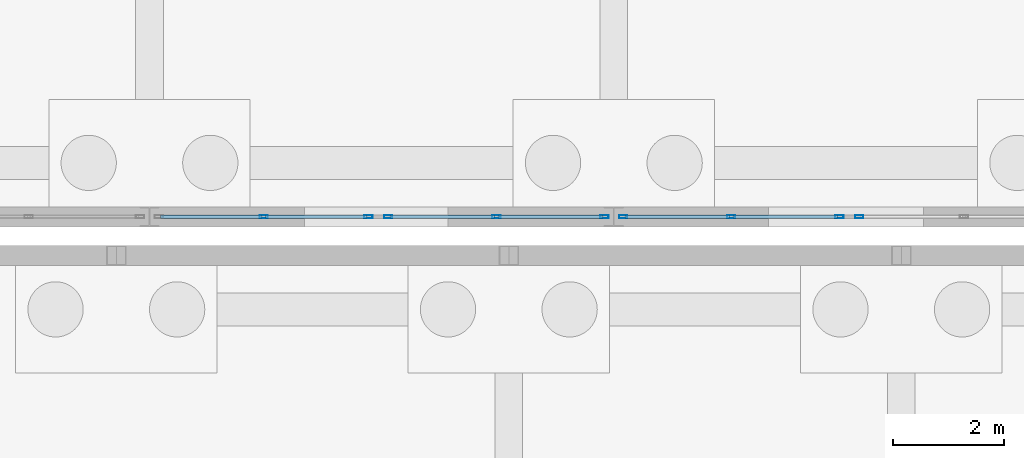
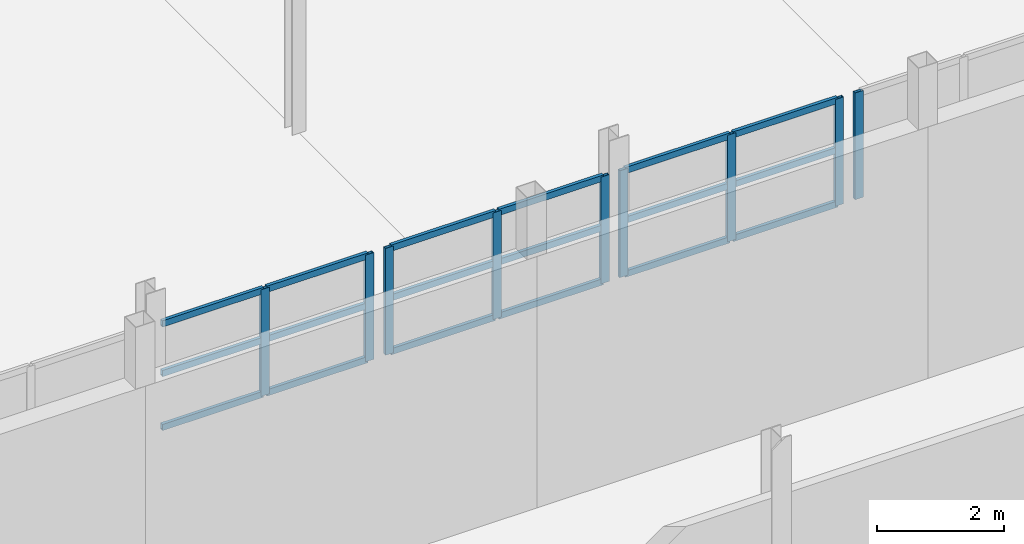
# One storey, part 84 of 139: 27 members, 4 elements without a shape of their own.
"""IFC4 building model written with IfcOpenShell, lengths in metres."""

from ifc_helpers import new_model, si_unit, direction, frame, origin, origin_2d, place, context, subcontext, project, spatial, hollow_rectangle, extrude, material, material_profile, profile_set, type_object, element, aggregate, save


model = new_model("IFC4")

# Units and contexts
model_context = context("Model", 3, precision=1e-05, world=origin(), true_north=direction((0.0, 1.0)))
body_context = subcontext(model_context, "Body", "Model", "MODEL_VIEW")
ifc_project = project(units=[si_unit("LENGTHUNIT", "METRE"), si_unit("AREAUNIT", "SQUARE_METRE"), si_unit("VOLUMEUNIT", "CUBIC_METRE"), si_unit("PLANEANGLEUNIT", "RADIAN"), si_unit("MASSUNIT", "GRAM", prefix="KILO")], contexts=[model_context])

# Site, building, storey
site_placement = place(None, origin())
site = spatial("IfcSite", under=ifc_project, at=site_placement, CompositionType="ELEMENT")
building_placement = place(site_placement, origin())
building = spatial("IfcBuilding", under=site, at=building_placement, Name="Kazenagashi Tramway Depot", CompositionType="ELEMENT")
storey_placement = place(building_placement, origin())
storey = spatial("IfcBuildingStorey", under=building, at=storey_placement, Name="L01", CompositionType="ELEMENT", Elevation=0.0)

# Curtain wall, members
ifc_material_1 = material(Name="Anodised Aluminium and Low-E Glazing", Category="aluminium")
curtain_wall_type_1 = type_object("IfcCurtainWallType", Name="CW-12", PredefinedType="USERDEFINED", material=ifc_material_1)
curtain_wall_1_placement = place(storey_placement, origin())
curtain_wall_1 = element("IfcCurtainWall", 1, at=curtain_wall_1_placement, inside=storey, type_object=curtain_wall_type_1, Name="Industrial Glazed Screen CW-12 CW-0044", ObjectType="GLAZED SCREEN", PredefinedType="USERDEFINED")
ifc_material_2 = material(Name="Anodised Aluminium", Category="aluminium")
ifc_material_profile_1 = material_profile(ifc_material_2, hollow_rectangle(XDim=0.06, YDim=0.15, WallThickness=0.004, at=origin_2d()), Name="RHS-150x60x4")
ifc_profile_set_1 = profile_set([ifc_material_profile_1], Name="Anodised Aluminium")
member_type_1 = type_object("IfcMemberType", Name="ML-01", PredefinedType="MULLION", material=ifc_profile_set_1)
member_1_placement = place(storey_placement, frame((156.065, 70.0, 3.2), z_axis=(0.0, 0.0, 1.0), x_axis=(0.0, 1.0, 0.0)))
member_1 = element("IfcMember", 2, at=member_1_placement, type_object=member_type_1, Name="CW-12 mullion 2", PredefinedType="MULLION", context=body_context, shape_type="SweptSolid", body=[
    extrude(hollow_rectangle(XDim=0.06, YDim=0.15, WallThickness=0.004, at=origin_2d()), origin(), (0.0, 0.0, 1.0), 2.047),
])
member_2_placement = place(storey_placement, frame((157.96, 70.0, 3.2), z_axis=(0.0, 0.0, 1.0), x_axis=(0.0, 1.0, 0.0)))
member_2 = element("IfcMember", 3, at=member_2_placement, type_object=member_type_1, Name="CW-12 mullion 3", PredefinedType="MULLION", context=body_context, shape_type="SweptSolid", body=[
    extrude(hollow_rectangle(XDim=0.06, YDim=0.15, WallThickness=0.004, at=origin_2d()), origin(), (0.0, 0.0, 1.0), 2.047),
])

curtain_wall_type_2 = type_object("IfcCurtainWallType", Name="CW-13", PredefinedType="USERDEFINED", material=ifc_material_1)
curtain_wall_2_placement = place(storey_placement, origin())
curtain_wall_2 = element("IfcCurtainWall", 4, at=curtain_wall_2_placement, inside=storey, type_object=curtain_wall_type_2, Name="Industrial Glazed Screen CW-13 CW-0045", ObjectType="GLAZED SCREEN", PredefinedType="USERDEFINED")
member_3_placement = place(storey_placement, frame((158.32, 70.0, 3.2), z_axis=(0.0, 0.0, 1.0), x_axis=(0.0, 1.0, 0.0)))
member_3 = element("IfcMember", 5, at=member_3_placement, type_object=member_type_1, Name="CW-13 mullion 1", PredefinedType="MULLION", context=body_context, shape_type="SweptSolid", body=[
    extrude(hollow_rectangle(XDim=0.06, YDim=0.15, WallThickness=0.004, at=origin_2d()), origin(), (0.0, 0.0, 1.0), 2.047),
])
member_4_placement = place(storey_placement, frame((160.275, 70.0, 3.2), z_axis=(0.0, 0.0, 1.0), x_axis=(0.0, 1.0, 0.0)))
member_4 = element("IfcMember", 6, at=member_4_placement, type_object=member_type_1, Name="CW-13 mullion 2", PredefinedType="MULLION", context=body_context, shape_type="SweptSolid", body=[
    extrude(hollow_rectangle(XDim=0.06, YDim=0.15, WallThickness=0.004, at=origin_2d()), origin(), (0.0, 0.0, 1.0), 2.047),
])
member_5_placement = place(storey_placement, frame((162.23, 70.0, 3.2), z_axis=(0.0, 0.0, 1.0), x_axis=(0.0, 1.0, 0.0)))
member_5 = element("IfcMember", 7, at=member_5_placement, type_object=member_type_1, Name="CW-13 mullion 3", PredefinedType="MULLION", context=body_context, shape_type="SweptSolid", body=[
    extrude(hollow_rectangle(XDim=0.06, YDim=0.15, WallThickness=0.004, at=origin_2d()), origin(), (0.0, 0.0, 1.0), 2.047),
])

curtain_wall_3_placement = place(storey_placement, origin())
curtain_wall_3 = element("IfcCurtainWall", 8, at=curtain_wall_3_placement, inside=storey, type_object=curtain_wall_type_2, Name="Industrial Glazed Screen CW-13 CW-0047", ObjectType="GLAZED SCREEN", PredefinedType="USERDEFINED")
member_6_placement = place(storey_placement, frame((162.57, 70.0, 3.2), z_axis=(0.0, 0.0, 1.0), x_axis=(0.0, 1.0, 0.0)))
member_6 = element("IfcMember", 9, at=member_6_placement, type_object=member_type_1, Name="CW-13 mullion 1", PredefinedType="MULLION", context=body_context, shape_type="SweptSolid", body=[
    extrude(hollow_rectangle(XDim=0.06, YDim=0.15, WallThickness=0.004, at=origin_2d()), origin(), (0.0, 0.0, 1.0), 2.047),
])
member_7_placement = place(storey_placement, frame((164.525, 70.0, 3.2), z_axis=(0.0, 0.0, 1.0), x_axis=(0.0, 1.0, 0.0)))
member_7 = element("IfcMember", 10, at=member_7_placement, type_object=member_type_1, Name="CW-13 mullion 2", PredefinedType="MULLION", context=body_context, shape_type="SweptSolid", body=[
    extrude(hollow_rectangle(XDim=0.06, YDim=0.15, WallThickness=0.004, at=origin_2d()), origin(), (0.0, 0.0, 1.0), 2.047),
])
member_8_placement = place(storey_placement, frame((166.48, 70.0, 3.2), z_axis=(0.0, 0.0, 1.0), x_axis=(0.0, 1.0, 0.0)))
member_8 = element("IfcMember", 11, at=member_8_placement, type_object=member_type_1, Name="CW-13 mullion 3", PredefinedType="MULLION", context=body_context, shape_type="SweptSolid", body=[
    extrude(hollow_rectangle(XDim=0.06, YDim=0.15, WallThickness=0.004, at=origin_2d()), origin(), (0.0, 0.0, 1.0), 2.047),
])

# Curtain wall, member
curtain_wall_4_placement = place(storey_placement, origin())
curtain_wall_4 = element("IfcCurtainWall", 12, at=curtain_wall_4_placement, inside=storey, type_object=curtain_wall_type_1, Name="Industrial Glazed Screen CW-12 CW-0048", ObjectType="GLAZED SCREEN", PredefinedType="USERDEFINED")
member_9_placement = place(storey_placement, frame((166.84, 70.0, 3.2), z_axis=(0.0, 0.0, 1.0), x_axis=(0.0, 1.0, 0.0)))
member_9 = element("IfcMember", 13, at=member_9_placement, type_object=member_type_1, Name="CW-12 mullion 1", PredefinedType="MULLION", context=body_context, shape_type="SweptSolid", body=[
    extrude(hollow_rectangle(XDim=0.06, YDim=0.15, WallThickness=0.004, at=origin_2d()), origin(), (0.0, 0.0, 1.0), 2.047),
])
aggregate(curtain_wall_4, [member_9])

# Member
ifc_material_profile_2 = material_profile(ifc_material_2, hollow_rectangle(XDim=0.06, YDim=0.12, WallThickness=0.004, at=origin_2d()), Name="RHS-120x60x4")
ifc_profile_set_2 = profile_set([ifc_material_profile_2], Name="Anodised Aluminium")
member_type_2 = type_object("IfcMemberType", Name="TR-01", PredefinedType="USERDEFINED", material=ifc_profile_set_2)
member_10_placement = place(storey_placement, frame((154.2, 70.0, 3.23), z_axis=(1.0, 0.0, 0.0), x_axis=(0.0, 1.0, 0.0)))
member_10 = element("IfcMember", 14, at=member_10_placement, type_object=member_type_2, Name="CW-12 transom 1.1", ObjectType="TRANSOM", PredefinedType="USERDEFINED", context=body_context, shape_type="SweptSolid", body=[
    extrude(hollow_rectangle(XDim=0.06, YDim=0.12, WallThickness=0.004, at=origin_2d()), origin(), (0.0, 0.0, 1.0), 1.835),
])

member_11_placement = place(storey_placement, frame((154.2, 70.0, 4.264), z_axis=(1.0, 0.0, 0.0), x_axis=(0.0, 1.0, 0.0)))
member_11 = element("IfcMember", 15, at=member_11_placement, type_object=member_type_2, Name="CW-12 transom 1.2", ObjectType="TRANSOM", PredefinedType="USERDEFINED", context=body_context, shape_type="SweptSolid", body=[
    extrude(hollow_rectangle(XDim=0.06, YDim=0.12, WallThickness=0.004, at=origin_2d()), origin(), (0.0, 0.0, 1.0), 1.835),
])

member_12_placement = place(storey_placement, frame((154.2, 70.0, 5.217), z_axis=(1.0, 0.0, 0.0), x_axis=(0.0, 1.0, 0.0)))
member_12 = element("IfcMember", 16, at=member_12_placement, type_object=member_type_2, Name="CW-12 transom 1.3", ObjectType="TRANSOM", PredefinedType="USERDEFINED", context=body_context, shape_type="SweptSolid", body=[
    extrude(hollow_rectangle(XDim=0.06, YDim=0.12, WallThickness=0.004, at=origin_2d()), origin(), (0.0, 0.0, 1.0), 1.835),
])

member_13_placement = place(storey_placement, frame((156.095, 70.0, 3.23), z_axis=(1.0, 0.0, 0.0), x_axis=(0.0, 1.0, 0.0)))
member_13 = element("IfcMember", 17, at=member_13_placement, type_object=member_type_2, Name="CW-12 transom 2.1", ObjectType="TRANSOM", PredefinedType="USERDEFINED", context=body_context, shape_type="SweptSolid", body=[
    extrude(hollow_rectangle(XDim=0.06, YDim=0.12, WallThickness=0.004, at=origin_2d()), origin(), (0.0, 0.0, 1.0), 1.835),
])

member_14_placement = place(storey_placement, frame((156.095, 70.0, 4.264), z_axis=(1.0, 0.0, 0.0), x_axis=(0.0, 1.0, 0.0)))
member_14 = element("IfcMember", 18, at=member_14_placement, type_object=member_type_2, Name="CW-12 transom 2.2", ObjectType="TRANSOM", PredefinedType="USERDEFINED", context=body_context, shape_type="SweptSolid", body=[
    extrude(hollow_rectangle(XDim=0.06, YDim=0.12, WallThickness=0.004, at=origin_2d()), origin(), (0.0, 0.0, 1.0), 1.835),
])

member_15_placement = place(storey_placement, frame((156.095, 70.0, 5.217), z_axis=(1.0, 0.0, 0.0), x_axis=(0.0, 1.0, 0.0)))
member_15 = element("IfcMember", 19, at=member_15_placement, type_object=member_type_2, Name="CW-12 transom 2.3", ObjectType="TRANSOM", PredefinedType="USERDEFINED", context=body_context, shape_type="SweptSolid", body=[
    extrude(hollow_rectangle(XDim=0.06, YDim=0.12, WallThickness=0.004, at=origin_2d()), origin(), (0.0, 0.0, 1.0), 1.835),
])

aggregate(curtain_wall_1, [member_1, member_2, member_10, member_11, member_12, member_13, member_14, member_15])

member_16_placement = place(storey_placement, frame((158.35, 70.0, 3.23), z_axis=(1.0, 0.0, 0.0), x_axis=(0.0, 1.0, 0.0)))
member_16 = element("IfcMember", 20, at=member_16_placement, type_object=member_type_2, Name="CW-13 transom 1.1", ObjectType="TRANSOM", PredefinedType="USERDEFINED", context=body_context, shape_type="SweptSolid", body=[
    extrude(hollow_rectangle(XDim=0.06, YDim=0.12, WallThickness=0.004, at=origin_2d()), origin(), (0.0, 0.0, 1.0), 1.895),
])

member_17_placement = place(storey_placement, frame((158.35, 70.0, 4.264), z_axis=(1.0, 0.0, 0.0), x_axis=(0.0, 1.0, 0.0)))
member_17 = element("IfcMember", 21, at=member_17_placement, type_object=member_type_2, Name="CW-13 transom 1.2", ObjectType="TRANSOM", PredefinedType="USERDEFINED", context=body_context, shape_type="SweptSolid", body=[
    extrude(hollow_rectangle(XDim=0.06, YDim=0.12, WallThickness=0.004, at=origin_2d()), origin(), (0.0, 0.0, 1.0), 1.895),
])

member_18_placement = place(storey_placement, frame((158.35, 70.0, 5.217), z_axis=(1.0, 0.0, 0.0), x_axis=(0.0, 1.0, 0.0)))
member_18 = element("IfcMember", 22, at=member_18_placement, type_object=member_type_2, Name="CW-13 transom 1.3", ObjectType="TRANSOM", PredefinedType="USERDEFINED", context=body_context, shape_type="SweptSolid", body=[
    extrude(hollow_rectangle(XDim=0.06, YDim=0.12, WallThickness=0.004, at=origin_2d()), origin(), (0.0, 0.0, 1.0), 1.895),
])

member_19_placement = place(storey_placement, frame((160.305, 70.0, 3.23), z_axis=(1.0, 0.0, 0.0), x_axis=(0.0, 1.0, 0.0)))
member_19 = element("IfcMember", 23, at=member_19_placement, type_object=member_type_2, Name="CW-13 transom 2.1", ObjectType="TRANSOM", PredefinedType="USERDEFINED", context=body_context, shape_type="SweptSolid", body=[
    extrude(hollow_rectangle(XDim=0.06, YDim=0.12, WallThickness=0.004, at=origin_2d()), origin(), (0.0, 0.0, 1.0), 1.895),
])

member_20_placement = place(storey_placement, frame((160.305, 70.0, 4.264), z_axis=(1.0, 0.0, 0.0), x_axis=(0.0, 1.0, 0.0)))
member_20 = element("IfcMember", 24, at=member_20_placement, type_object=member_type_2, Name="CW-13 transom 2.2", ObjectType="TRANSOM", PredefinedType="USERDEFINED", context=body_context, shape_type="SweptSolid", body=[
    extrude(hollow_rectangle(XDim=0.06, YDim=0.12, WallThickness=0.004, at=origin_2d()), origin(), (0.0, 0.0, 1.0), 1.895),
])

member_21_placement = place(storey_placement, frame((160.305, 70.0, 5.217), z_axis=(1.0, 0.0, 0.0), x_axis=(0.0, 1.0, 0.0)))
member_21 = element("IfcMember", 25, at=member_21_placement, type_object=member_type_2, Name="CW-13 transom 2.3", ObjectType="TRANSOM", PredefinedType="USERDEFINED", context=body_context, shape_type="SweptSolid", body=[
    extrude(hollow_rectangle(XDim=0.06, YDim=0.12, WallThickness=0.004, at=origin_2d()), origin(), (0.0, 0.0, 1.0), 1.895),
])

aggregate(curtain_wall_2, [member_3, member_4, member_5, member_16, member_17, member_18, member_19, member_20, member_21])

member_22_placement = place(storey_placement, frame((162.6, 70.0, 3.23), z_axis=(1.0, 0.0, 0.0), x_axis=(0.0, 1.0, 0.0)))
member_22 = element("IfcMember", 26, at=member_22_placement, type_object=member_type_2, Name="CW-13 transom 1.1", ObjectType="TRANSOM", PredefinedType="USERDEFINED", context=body_context, shape_type="SweptSolid", body=[
    extrude(hollow_rectangle(XDim=0.06, YDim=0.12, WallThickness=0.004, at=origin_2d()), origin(), (0.0, 0.0, 1.0), 1.895),
])

member_23_placement = place(storey_placement, frame((162.6, 70.0, 4.264), z_axis=(1.0, 0.0, 0.0), x_axis=(0.0, 1.0, 0.0)))
member_23 = element("IfcMember", 27, at=member_23_placement, type_object=member_type_2, Name="CW-13 transom 1.2", ObjectType="TRANSOM", PredefinedType="USERDEFINED", context=body_context, shape_type="SweptSolid", body=[
    extrude(hollow_rectangle(XDim=0.06, YDim=0.12, WallThickness=0.004, at=origin_2d()), origin(), (0.0, 0.0, 1.0), 1.895),
])

member_24_placement = place(storey_placement, frame((162.6, 70.0, 5.217), z_axis=(1.0, 0.0, 0.0), x_axis=(0.0, 1.0, 0.0)))
member_24 = element("IfcMember", 28, at=member_24_placement, type_object=member_type_2, Name="CW-13 transom 1.3", ObjectType="TRANSOM", PredefinedType="USERDEFINED", context=body_context, shape_type="SweptSolid", body=[
    extrude(hollow_rectangle(XDim=0.06, YDim=0.12, WallThickness=0.004, at=origin_2d()), origin(), (0.0, 0.0, 1.0), 1.895),
])

member_25_placement = place(storey_placement, frame((164.555, 70.0, 3.23), z_axis=(1.0, 0.0, 0.0), x_axis=(0.0, 1.0, 0.0)))
member_25 = element("IfcMember", 29, at=member_25_placement, type_object=member_type_2, Name="CW-13 transom 2.1", ObjectType="TRANSOM", PredefinedType="USERDEFINED", context=body_context, shape_type="SweptSolid", body=[
    extrude(hollow_rectangle(XDim=0.06, YDim=0.12, WallThickness=0.004, at=origin_2d()), origin(), (0.0, 0.0, 1.0), 1.895),
])

member_26_placement = place(storey_placement, frame((164.555, 70.0, 4.264), z_axis=(1.0, 0.0, 0.0), x_axis=(0.0, 1.0, 0.0)))
member_26 = element("IfcMember", 30, at=member_26_placement, type_object=member_type_2, Name="CW-13 transom 2.2", ObjectType="TRANSOM", PredefinedType="USERDEFINED", context=body_context, shape_type="SweptSolid", body=[
    extrude(hollow_rectangle(XDim=0.06, YDim=0.12, WallThickness=0.004, at=origin_2d()), origin(), (0.0, 0.0, 1.0), 1.895),
])

member_27_placement = place(storey_placement, frame((164.555, 70.0, 5.217), z_axis=(1.0, 0.0, 0.0), x_axis=(0.0, 1.0, 0.0)))
member_27 = element("IfcMember", 31, at=member_27_placement, type_object=member_type_2, Name="CW-13 transom 2.3", ObjectType="TRANSOM", PredefinedType="USERDEFINED", context=body_context, shape_type="SweptSolid", body=[
    extrude(hollow_rectangle(XDim=0.06, YDim=0.12, WallThickness=0.004, at=origin_2d()), origin(), (0.0, 0.0, 1.0), 1.895),
])

aggregate(curtain_wall_3, [member_6, member_7, member_8, member_22, member_23, member_24, member_25, member_26, member_27])

save(model, "model.ifc")
